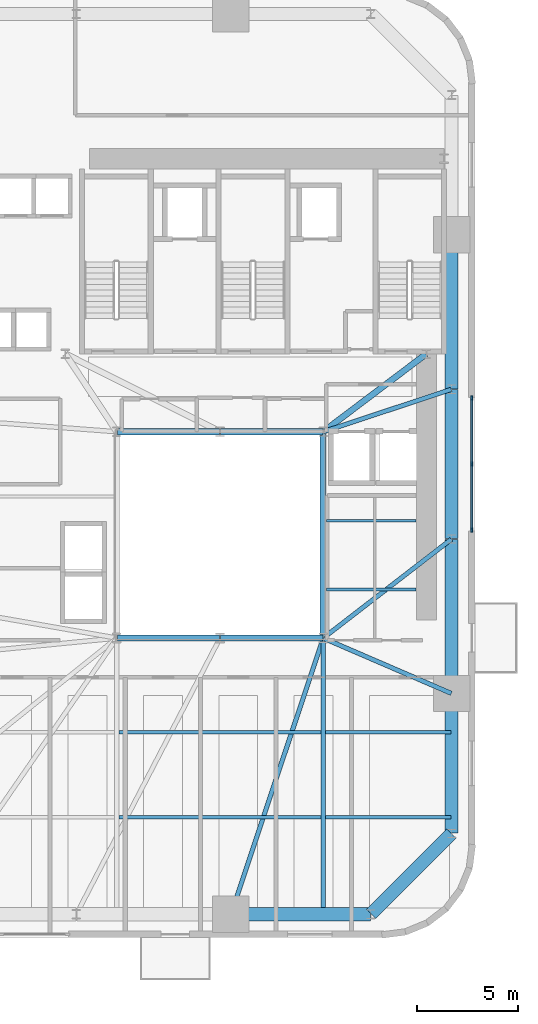
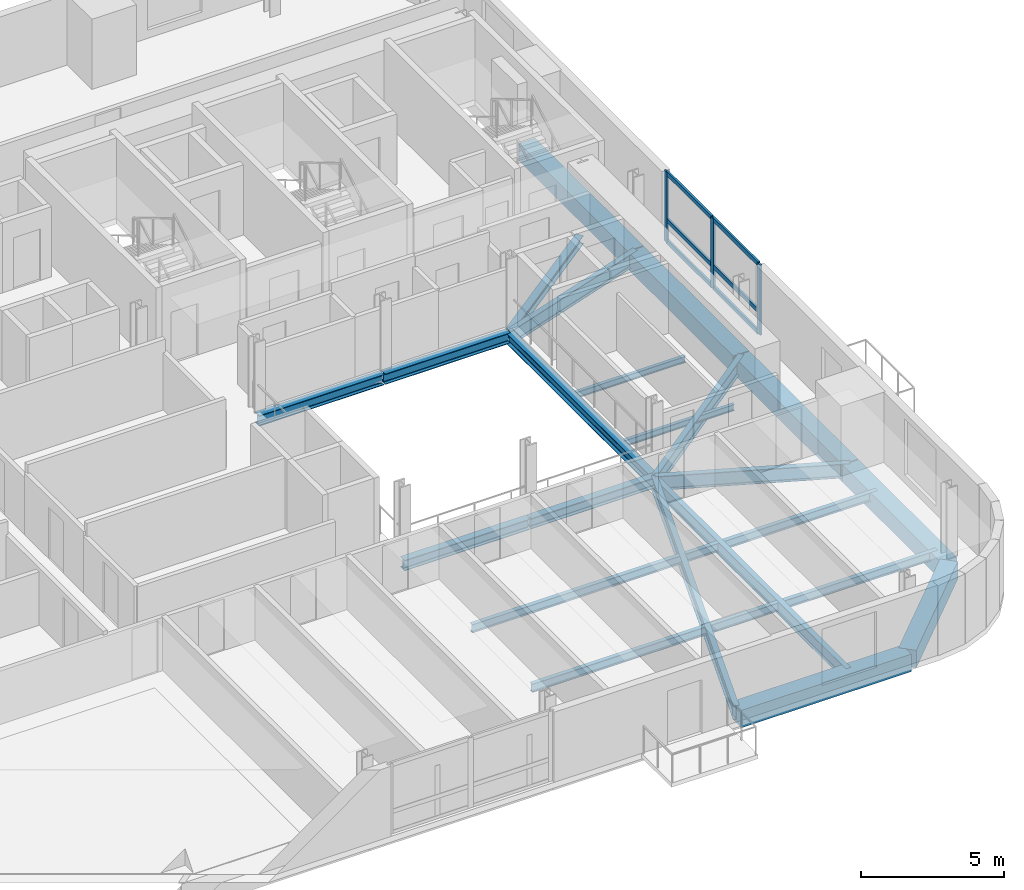
# One storey, part 3 of 13: 23 beams, 9 members, 1 element without a shape of its own.
"""IFC4 building model written with IfcOpenShell, lengths in metres."""

from ifc_helpers import new_model, si_unit, direction, frame, origin, origin_2d, place, context, subcontext, project, spatial, rectangle, i_section, extrude, source, transform, mapped, material, material_profile, profile_set, type_object, element, aggregate, save


model = new_model("IFC4")

# Units and contexts
model_context = context("Model", 3, precision=1e-05, world=origin(), true_north=direction((0.0, 1.0)))
body_context = subcontext(model_context, "Body", "Model", "MODEL_VIEW")
ifc_project = project(units=[si_unit("LENGTHUNIT", "METRE"), si_unit("AREAUNIT", "SQUARE_METRE"), si_unit("VOLUMEUNIT", "CUBIC_METRE"), si_unit("PLANEANGLEUNIT", "RADIAN"), si_unit("MASSUNIT", "GRAM", prefix="KILO")], contexts=[model_context])

# Site, building, storey
site_placement = place(None, origin())
site = spatial("IfcSite", under=ifc_project, at=site_placement, CompositionType="ELEMENT")
building_placement = place(site_placement, origin())
building = spatial("IfcBuilding", under=site, at=building_placement, Name="Vardaveli Station Tower", CompositionType="ELEMENT")
storey_placement = place(building_placement, frame((0.0, 0.0, 89.64990234375)))
storey = spatial("IfcBuildingStorey", under=building, at=storey_placement, Name="L23", CompositionType="ELEMENT", Elevation=89.64990234375)

# Beams
ifc_material_1 = material(Name="Structural steel S355J2", Category="steel")
ifc_material_profile_1 = material_profile(ifc_material_1, i_section(OverallWidth=0.300048828125, OverallDepth=0.449951171875, WebThickness=0.013916015625, FlangeThickness=0.02587890625, FilletRadius=0.027099609375, at=origin_2d()), Name="HEB 450")
ifc_profile_set_1 = profile_set([ifc_material_profile_1], Name="Structural steel S355J2")
beam_type_1 = type_object("IfcBeamType", Name="BM-HEB450", PredefinedType="BEAM", material=ifc_profile_set_1)
shared_shape_1 = source(origin(), body_context, "Body", "SweptSolid", [
    extrude(i_section(OverallWidth=0.300048828125, OverallDepth=0.449951171875, WebThickness=0.013916015625, FlangeThickness=0.02587890625, FilletRadius=0.027099609375, at=origin_2d()), origin(), (0.0, 0.0, 1.0), 5.06005859375),
])
for number, where, z_axis, x_axis, name in (
    (1, (31.219970703125, 16.60009765625, -0.46484375), (1.0, 0.0, 0.0), (0.0, 1.0, 0.0), "ABM-L23-01"),
    (2, (36.280029296875, 26.800048828125, -0.46484375), (-1.0, 0.0, 0.0), (0.0, -1.0, 0.0), "ABM-L23-05"),
):
    element("IfcBeam", number, at=place(storey_placement, frame(where, z_axis=z_axis, x_axis=x_axis)), inside=storey, type_object=beam_type_1, Name=name, PredefinedType="BEAM", context=body_context, shape_type="MappedRepresentation", body=[
        mapped(shared_shape_1, transform((0.0, 0.0, 0.0), scale=1.0)),
    ])
shared_shape_2 = source(origin(), body_context, "Body", "SweptSolid", [
    extrude(i_section(OverallWidth=0.300048828125, OverallDepth=0.449951171875, WebThickness=0.013916015625, FlangeThickness=0.02587890625, FilletRadius=0.027099609375, at=origin_2d()), origin(), (0.0, 0.0, 1.0), 5.059814453125),
])
for number, where, z_axis, x_axis, name in (
    (3, (36.320068359375, 16.60009765625, -0.46484375), (1.0, 0.0, 0.0), (0.0, 1.0, 0.0), "ABM-L23-02"),
    (4, (41.3798828125, 26.800048828125, -0.46484375), (-1.0, 0.0, 0.0), (0.0, -1.0, 0.0), "ABM-L23-04"),
):
    element("IfcBeam", number, at=place(storey_placement, frame(where, z_axis=z_axis, x_axis=x_axis)), inside=storey, type_object=beam_type_1, Name=name, PredefinedType="BEAM", context=body_context, shape_type="MappedRepresentation", body=[
        mapped(shared_shape_2, transform((0.0, 0.0, 0.0), scale=1.0)),
    ])
shared_shape_3 = source(origin(), body_context, "Body", "SweptSolid", [
    extrude(i_section(OverallWidth=0.300048828125, OverallDepth=0.449951171875, WebThickness=0.013916015625, FlangeThickness=0.02587890625, FilletRadius=0.027099609375, at=origin_2d()), origin(), (0.0, 0.0, 1.0), 10.159912109375),
])
beam_1_placement = place(storey_placement, frame((41.39990234375, 16.6201171875, -0.46484375), z_axis=(0.0, 1.0, 0.0), x_axis=(-1.0, 0.0, 0.0)))
element("IfcBeam", 5, at=beam_1_placement, inside=storey, type_object=beam_type_1, Name="ABM-L23-03", PredefinedType="BEAM", context=body_context, shape_type="MappedRepresentation", body=[
    mapped(shared_shape_3, transform((0.0, 0.0, 0.0), scale=1.0)),
])
ifc_material_profile_2 = material_profile(ifc_material_1, i_section(OverallWidth=0.300048828125, OverallDepth=0.360107421875, WebThickness=0.012451171875, FlangeThickness=0.0224609375, FilletRadius=0.027099609375, at=origin_2d()), Name="HEB 360")
ifc_profile_set_2 = profile_set([ifc_material_profile_2], Name="Structural steel S355J2")
beam_type_2 = type_object("IfcBeamType", Name="BM-HEB360", PredefinedType="BEAM", material=ifc_profile_set_2)
shared_shape_4 = source(origin(), body_context, "Body", "SweptSolid", [
    extrude(i_section(OverallWidth=0.300048828125, OverallDepth=0.360107421875, WebThickness=0.012451171875, FlangeThickness=0.0224609375, FilletRadius=0.027099609375, at=origin_2d()), origin(), (0.0, 0.0, 1.0), 6.35009765625),
])
beam_2_placement = place(storey_placement, frame((41.416015625, 26.81201171875, -0.419921875), z_axis=(0.798118337722, 0.602500721154, 0.0), x_axis=(-0.602500721154, 0.798118337722, 0.0)))
element("IfcBeam", 6, at=beam_2_placement, inside=storey, type_object=beam_type_2, Name="CBM-L23-02", PredefinedType="BEAM", context=body_context, shape_type="MappedRepresentation", body=[
    mapped(shared_shape_4, transform((0.0, 0.0, 0.0), scale=1.0)),
])
ifc_material_2 = material(Name="Precast concrete C45/55", Category="concrete")
ifc_material_profile_3 = material_profile(ifc_material_2, rectangle(XDim=0.64990234375, YDim=0.75, at=origin_2d()), Name="LPB 650x750")
ifc_profile_set_3 = profile_set([ifc_material_profile_3], Name="Precast concrete C45/55")
beam_type_3 = type_object("IfcBeamType", Name="BM-LPB-750", PredefinedType="BEAM", material=ifc_profile_set_3)
shared_shape_5 = source(origin(), body_context, "Body", "SweptSolid", [
    extrude(rectangle(XDim=0.64990234375, YDim=0.75, at=origin_2d()), origin(), (0.0, 0.0, 1.0), 7.60009765625),
])
for number, where, z_axis, x_axis, name in (
    (7, (47.75, 13.8798828125, -0.614990234375), (0.0, 1.0, 0.0), (-1.0, 0.0, 0.0), "RBM-L23-07"),
    (8, (47.75, 28.919921875, -0.614990234375), (0.0, 1.0, 0.0), (-1.0, 0.0, 0.0), "RBM-L23-09"),
):
    element("IfcBeam", number, at=place(storey_placement, frame(where, z_axis=z_axis, x_axis=x_axis)), inside=storey, type_object=beam_type_3, Name=name, PredefinedType="BEAM", context=body_context, shape_type="MappedRepresentation", body=[
        mapped(shared_shape_5, transform((0.0, 0.0, 0.0), scale=1.0)),
    ])
shared_shape_6 = source(origin(), body_context, "Body", "SweptSolid", [
    extrude(rectangle(XDim=0.64990234375, YDim=0.75, at=origin_2d()), origin(), (0.0, 0.0, 1.0), 7.35986328125),
])
beam_3_placement = place(storey_placement, frame((47.75, 21.52001953125, -0.614990234375), z_axis=(0.0, 1.0, 0.0), x_axis=(-1.0, 0.0, 0.0)))
element("IfcBeam", 9, at=beam_3_placement, inside=storey, type_object=beam_type_3, Name="RBM-L23-08", PredefinedType="BEAM", context=body_context, shape_type="MappedRepresentation", body=[
    mapped(shared_shape_6, transform((0.0, 0.0, 0.0), scale=1.0)),
])
shared_shape_7 = source(origin(), body_context, "Body", "SweptSolid", [
    extrude(rectangle(XDim=0.64990234375, YDim=0.75, at=origin_2d()), origin(), (0.0, 0.0, 1.0), 6.869873046875),
])
beam_4_placement = place(storey_placement, frame((36.860107421875, 2.949951171875, -0.614990234375), z_axis=(1.0, 0.0, 0.0), x_axis=(0.0, 1.0, 0.0)))
element("IfcBeam", 10, at=beam_4_placement, inside=storey, type_object=beam_type_3, Name="RBM-L23-04", PredefinedType="BEAM", context=body_context, shape_type="MappedRepresentation", body=[
    mapped(shared_shape_7, transform((0.0, 0.0, 0.0), scale=1.0)),
])
shared_shape_8 = source(origin(), body_context, "Body", "SweptSolid", [
    extrude(rectangle(XDim=0.64990234375, YDim=0.75, at=origin_2d()), origin(), (0.0, 0.0, 1.0), 5.61669921875),
])
beam_5_placement = place(storey_placement, frame((43.76416015625, 2.964111328125, -0.614990234375), z_axis=(0.707106781187, 0.707106781187, 0.0), x_axis=(-0.707106781187, 0.707106781187, 0.0)))
element("IfcBeam", 11, at=beam_5_placement, inside=storey, type_object=beam_type_3, Name="RBM-L23-05", PredefinedType="BEAM", context=body_context, shape_type="MappedRepresentation", body=[
    mapped(shared_shape_8, transform((0.0, 0.0, 0.0), scale=1.0)),
])
shared_shape_9 = source(origin(), body_context, "Body", "SweptSolid", [
    extrude(rectangle(XDim=0.64990234375, YDim=0.75, at=origin_2d()), origin(), (0.0, 0.0, 1.0), 6.8701171875),
])
beam_6_placement = place(storey_placement, frame((47.75, 6.969970703125, -0.614990234375), z_axis=(0.0, 1.0, 0.0), x_axis=(-1.0, 0.0, 0.0)))
element("IfcBeam", 12, at=beam_6_placement, inside=storey, type_object=beam_type_3, Name="RBM-L23-06", PredefinedType="BEAM", context=body_context, shape_type="MappedRepresentation", body=[
    mapped(shared_shape_9, transform((0.0, 0.0, 0.0), scale=1.0)),
])
ifc_material_profile_4 = material_profile(ifc_material_1, i_section(OverallWidth=0.219970703125, OverallDepth=0.60009765625, WebThickness=0.011962890625, FlangeThickness=0.01904296875, FilletRadius=0.02392578125, at=origin_2d()), Name="IPE 600")
ifc_profile_set_4 = profile_set([ifc_material_profile_4], Name="Structural steel S355J2")
beam_type_4 = type_object("IfcBeamType", Name="BM-IPE600", PredefinedType="BEAM", material=ifc_profile_set_4)
shared_shape_10 = source(origin(), body_context, "Body", "SweptSolid", [
    extrude(i_section(OverallWidth=0.219970703125, OverallDepth=0.60009765625, WebThickness=0.011962890625, FlangeThickness=0.01904296875, FilletRadius=0.02392578125, at=origin_2d()), origin(), (0.0, 0.0, 1.0), 14.3515625),
])
beam_7_placement = place(storey_placement, frame((36.846435546875, 2.968994140625, -0.539794921875), z_axis=(0.316840115921, 0.948478961782, 0.0), x_axis=(-0.948478961782, 0.316840115921, 0.0)))
element("IfcBeam", 13, at=beam_7_placement, inside=storey, type_object=beam_type_4, Name="GBM-L23-04", PredefinedType="BEAM", context=body_context, shape_type="MappedRepresentation", body=[
    mapped(shared_shape_10, transform((0.0, 0.0, 0.0), scale=1.0)),
])
shared_shape_11 = source(origin(), body_context, "Body", "SweptSolid", [
    extrude(i_section(OverallWidth=0.219970703125, OverallDepth=0.60009765625, WebThickness=0.011962890625, FlangeThickness=0.01904296875, FilletRadius=0.02392578125, at=origin_2d()), origin(), (0.0, 0.0, 1.0), 6.8759765625),
])
beam_8_placement = place(storey_placement, frame((47.731689453125, 13.867919921875, -0.539794921875), z_axis=(-0.918170694621, 0.396185026899, 0.0), x_axis=(-0.396185026899, -0.918170694621, 0.0)))
element("IfcBeam", 14, at=beam_8_placement, inside=storey, type_object=beam_type_4, Name="GBM-L23-05", PredefinedType="BEAM", context=body_context, shape_type="MappedRepresentation", body=[
    mapped(shared_shape_11, transform((0.0, 0.0, 0.0), scale=1.0)),
])
shared_shape_12 = source(origin(), body_context, "Body", "SweptSolid", [
    extrude(i_section(OverallWidth=0.219970703125, OverallDepth=0.60009765625, WebThickness=0.011962890625, FlangeThickness=0.01904296875, FilletRadius=0.02392578125, at=origin_2d()), origin(), (0.0, 0.0, 1.0), 7.980712890625),
])
beam_9_placement = place(storey_placement, frame((47.734130859375, 21.48779296875, -0.539794921875), z_axis=(-0.791701934907, -0.610907559509, 0.0), x_axis=(0.610907559509, -0.791701934907, 0.0)))
element("IfcBeam", 15, at=beam_9_placement, inside=storey, type_object=beam_type_4, Name="GBM-L23-06", PredefinedType="BEAM", context=body_context, shape_type="MappedRepresentation", body=[
    mapped(shared_shape_12, transform((0.0, 0.0, 0.0), scale=1.0)),
])
shared_shape_13 = source(origin(), body_context, "Body", "SweptSolid", [
    extrude(i_section(OverallWidth=0.219970703125, OverallDepth=0.60009765625, WebThickness=0.011962890625, FlangeThickness=0.01904296875, FilletRadius=0.02392578125, at=origin_2d()), origin(), (0.0, 0.0, 1.0), 6.648193359375),
])
beam_10_placement = place(storey_placement, frame((47.73095703125, 28.893798828125, -0.539794921875), z_axis=(-0.949429779906, -0.313979446824, 0.0), x_axis=(0.313979446824, -0.949429779906, 0.0)))
element("IfcBeam", 16, at=beam_10_placement, inside=storey, type_object=beam_type_4, Name="GBM-L23-07", PredefinedType="BEAM", context=body_context, shape_type="MappedRepresentation", body=[
    mapped(shared_shape_13, transform((0.0, 0.0, 0.0), scale=1.0)),
])
ifc_material_profile_5 = material_profile(ifc_material_1, i_section(OverallWidth=0.2099609375, OverallDepth=0.550048828125, WebThickness=0.010986328125, FlangeThickness=0.01708984375, FilletRadius=0.02392578125, at=origin_2d()), Name="IPE 550")
ifc_profile_set_5 = profile_set([ifc_material_profile_5], Name="Structural steel S355J2")
beam_type_5 = type_object("IfcBeamType", Name="BM-IPE550", PredefinedType="BEAM", material=ifc_profile_set_5)
shared_shape_14 = source(origin(), body_context, "Body", "SweptSolid", [
    extrude(i_section(OverallWidth=0.2099609375, OverallDepth=0.550048828125, WebThickness=0.010986328125, FlangeThickness=0.01708984375, FilletRadius=0.02392578125, at=origin_2d()), origin(), (0.0, 0.0, 1.0), 13.469970703125),
])
beam_11_placement = place(storey_placement, frame((41.39990234375, 2.989990234375, -0.514892578125), z_axis=(0.0, 1.0, 0.0), x_axis=(-1.0, 0.0, 0.0)))
element("IfcBeam", 17, at=beam_11_placement, inside=storey, type_object=beam_type_5, Name="NSM-L23-S2", PredefinedType="BEAM", context=body_context, shape_type="MappedRepresentation", body=[
    mapped(shared_shape_14, transform((0.0, 0.0, 0.0), scale=1.0)),
])
ifc_material_profile_6 = material_profile(ifc_material_1, i_section(OverallWidth=0.169921875, OverallDepth=0.360107421875, WebThickness=0.008056640625, FlangeThickness=0.0126953125, FilletRadius=0.01806640625, at=origin_2d()), Name="IPE 360")
ifc_profile_set_6 = profile_set([ifc_material_profile_6], Name="Structural steel S355J2")
beam_type_6 = type_object("IfcBeamType", Name="BM-IPE360", PredefinedType="JOIST", material=ifc_profile_set_6)
shared_shape_15 = source(origin(), body_context, "Body", "SweptSolid", [
    extrude(i_section(OverallWidth=0.169921875, OverallDepth=0.360107421875, WebThickness=0.008056640625, FlangeThickness=0.0126953125, FilletRadius=0.01806640625, at=origin_2d()), origin(), (0.0, 0.0, 1.0), 9.97607421875),
])
for number, where, z_axis, x_axis, name in (
    (18, (31.31201171875, 7.75, -0.419921875), (1.0, 0.0, 0.0), (0.0, 1.0, 0.0), "SJ-L23-S02"),
    (19, (31.31201171875, 11.949951171875, -0.419921875), (1.0, 0.0, 0.0), (0.0, 1.0, 0.0), "SJ-L23-S05"),
):
    element("IfcBeam", number, at=place(storey_placement, frame(where, z_axis=z_axis, x_axis=x_axis)), inside=storey, type_object=beam_type_6, Name=name, PredefinedType="JOIST", context=body_context, shape_type="MappedRepresentation", body=[
        mapped(shared_shape_15, transform((0.0, 0.0, 0.0), scale=1.0)),
    ])
shared_shape_16 = source(origin(), body_context, "Body", "SweptSolid", [
    extrude(i_section(OverallWidth=0.169921875, OverallDepth=0.360107421875, WebThickness=0.008056640625, FlangeThickness=0.0126953125, FilletRadius=0.01806640625, at=origin_2d()), origin(), (0.0, 0.0, 1.0), 6.197998046875),
])
for number, where, z_axis, x_axis, name in (
    (20, (41.511962890625, 7.75, -0.419921875), (1.0, 0.0, 0.0), (0.0, 1.0, 0.0), "SJ-L23-S03"),
    (21, (41.511962890625, 11.949951171875, -0.419921875), (1.0, 0.0, 0.0), (0.0, 1.0, 0.0), "SJ-L23-S06"),
):
    element("IfcBeam", number, at=place(storey_placement, frame(where, z_axis=z_axis, x_axis=x_axis)), inside=storey, type_object=beam_type_6, Name=name, PredefinedType="JOIST", context=body_context, shape_type="MappedRepresentation", body=[
        mapped(shared_shape_16, transform((0.0, 0.0, 0.0), scale=1.0)),
    ])
ifc_material_profile_7 = material_profile(ifc_material_1, i_section(OverallWidth=0.135009765625, OverallDepth=0.27001953125, WebThickness=0.006591796875, FlangeThickness=0.01025390625, FilletRadius=0.014892578125, at=origin_2d()), Name="IPE 270")
ifc_profile_set_7 = profile_set([ifc_material_profile_7], Name="Structural steel S355J2")
beam_type_7 = type_object("IfcBeamType", Name="BM-IPE270", PredefinedType="BEAM", material=ifc_profile_set_7)
shared_shape_17 = source(origin(), body_context, "Body", "SweptSolid", [
    extrude(i_section(OverallWidth=0.135009765625, OverallDepth=0.27001953125, WebThickness=0.006591796875, FlangeThickness=0.01025390625, FilletRadius=0.014892578125, at=origin_2d()), origin(), (0.0, 0.0, 1.0), 4.43017578125),
])
for number, where, z_axis, x_axis, name in (
    (22, (41.56494140625, 19.0, -0.375), (1.0, 0.0, 0.0), (0.0, 1.0, 0.0), "TJ-L23-01"),
    (23, (41.56494140625, 22.39990234375, -0.375), (1.0, 0.0, 0.0), (0.0, 1.0, 0.0), "TJ-L23-02"),
):
    element("IfcBeam", number, at=place(storey_placement, frame(where, z_axis=z_axis, x_axis=x_axis)), inside=storey, type_object=beam_type_7, Name=name, PredefinedType="BEAM", context=body_context, shape_type="MappedRepresentation", body=[
        mapped(shared_shape_17, transform((0.0, 0.0, 0.0), scale=1.0)),
    ])

# Curtain wall, members
ifc_material_3 = material(Name="Travertine stone and solar-control glass", Category="masonry")
curtain_wall_type = type_object("IfcCurtainWallType", Name="CW-SYS-2", PredefinedType="NOTDEFINED", material=ifc_material_3)
curtain_wall_placement = place(storey_placement, origin())
curtain_wall = element("IfcCurtainWall", 24, at=curtain_wall_placement, inside=storey, type_object=curtain_wall_type, Name="CW-L23-E", PredefinedType="NOTDEFINED")
ifc_material_4 = material(Name="Anodised aluminium alloy 6063-T6", Category="aluminium")
ifc_material_profile_8 = material_profile(ifc_material_4, rectangle(XDim=0.0849609375, YDim=0.179931640625, at=origin_2d()), Name="CWT 85x180")
ifc_profile_set_8 = profile_set([ifc_material_profile_8], Name="Anodised aluminium alloy 6063-T6")
member_type_1 = type_object("IfcMemberType", Name="CW-SYS-2-TRAN", PredefinedType="NOTDEFINED", material=ifc_profile_set_8)
shared_shape_18 = source(origin(), body_context, "Body", "SweptSolid", [
    extrude(rectangle(XDim=0.0849609375, YDim=0.179931640625, at=origin_2d()), origin(), (0.0, 0.0, 1.0), 3.172607421875),
])
member_1_placement = place(storey_placement, frame((48.739990234375, 25.242431640625, 0.04248046875), z_axis=(0.0, 1.0, 0.0), x_axis=(-1.0, 0.0, 0.0)))
member_1 = element("IfcMember", 25, at=member_1_placement, type_object=member_type_1, Name="CW-2 transom 2.1", ObjectType="TRANSOM", PredefinedType="USERDEFINED", context=body_context, shape_type="MappedRepresentation", body=[
    mapped(shared_shape_18, transform((0.0, 0.0, 0.0), scale=1.0)),
])
member_2_placement = place(storey_placement, frame((48.739990234375, 25.242431640625, 0.9501953125), z_axis=(0.0, 1.0, 0.0), x_axis=(-1.0, 0.0, 0.0)))
member_2 = element("IfcMember", 26, at=member_2_placement, type_object=member_type_1, Name="CW-2 transom 2.2", ObjectType="TRANSOM", PredefinedType="USERDEFINED", context=body_context, shape_type="MappedRepresentation", body=[
    mapped(shared_shape_18, transform((0.0, 0.0, 0.0), scale=1.0)),
])
member_3_placement = place(storey_placement, frame((48.739990234375, 25.242431640625, 2.95751953125), z_axis=(0.0, 1.0, 0.0), x_axis=(-1.0, 0.0, 0.0)))
member_3 = element("IfcMember", 27, at=member_3_placement, type_object=member_type_1, Name="CW-2 transom 2.3", ObjectType="TRANSOM", PredefinedType="USERDEFINED", context=body_context, shape_type="MappedRepresentation", body=[
    mapped(shared_shape_18, transform((0.0, 0.0, 0.0), scale=1.0)),
])
shared_shape_19 = source(origin(), body_context, "Body", "SweptSolid", [
    extrude(rectangle(XDim=0.0849609375, YDim=0.179931640625, at=origin_2d()), origin(), (0.0, 0.0, 1.0), 3.17236328125),
])
member_4_placement = place(storey_placement, frame((48.739990234375, 21.985107421875, 0.04248046875), z_axis=(0.0, 1.0, 0.0), x_axis=(-1.0, 0.0, 0.0)))
member_4 = element("IfcMember", 28, at=member_4_placement, type_object=member_type_1, Name="CW-2 transom 1.1", ObjectType="TRANSOM", PredefinedType="USERDEFINED", context=body_context, shape_type="MappedRepresentation", body=[
    mapped(shared_shape_19, transform((0.0, 0.0, 0.0), scale=1.0)),
])
member_5_placement = place(storey_placement, frame((48.739990234375, 21.985107421875, 0.9501953125), z_axis=(0.0, 1.0, 0.0), x_axis=(-1.0, 0.0, 0.0)))
member_5 = element("IfcMember", 29, at=member_5_placement, type_object=member_type_1, Name="CW-2 transom 1.2", ObjectType="TRANSOM", PredefinedType="USERDEFINED", context=body_context, shape_type="MappedRepresentation", body=[
    mapped(shared_shape_19, transform((0.0, 0.0, 0.0), scale=1.0)),
])
member_6_placement = place(storey_placement, frame((48.739990234375, 21.985107421875, 2.95751953125), z_axis=(0.0, 1.0, 0.0), x_axis=(-1.0, 0.0, 0.0)))
member_6 = element("IfcMember", 30, at=member_6_placement, type_object=member_type_1, Name="CW-2 transom 1.3", ObjectType="TRANSOM", PredefinedType="USERDEFINED", context=body_context, shape_type="MappedRepresentation", body=[
    mapped(shared_shape_19, transform((0.0, 0.0, 0.0), scale=1.0)),
])
ifc_material_profile_9 = material_profile(ifc_material_4, rectangle(XDim=0.0849609375, YDim=0.219970703125, at=origin_2d()), Name="CWM 85x220")
ifc_profile_set_9 = profile_set([ifc_material_profile_9], Name="Anodised aluminium alloy 6063-T6")
member_type_2 = type_object("IfcMemberType", Name="CW-SYS-2-MULL", PredefinedType="MULLION", material=ifc_profile_set_9)
shared_shape_20 = source(origin(), body_context, "Body", "SweptSolid", [
    extrude(rectangle(XDim=0.0849609375, YDim=0.219970703125, at=origin_2d()), origin(), (0.0, 0.0, 1.0), 3.0),
])
member_7_placement = place(storey_placement, frame((48.739990234375, 21.9423828125, 0.0), z_axis=(0.0, 0.0, 1.0), x_axis=(-1.0, 0.0, 0.0)))
member_7 = element("IfcMember", 31, at=member_7_placement, type_object=member_type_2, Name="CW-2 mullion 1", PredefinedType="MULLION", context=body_context, shape_type="MappedRepresentation", body=[
    mapped(shared_shape_20, transform((0.0, 0.0, 0.0), scale=1.0)),
])
member_8_placement = place(storey_placement, frame((48.739990234375, 25.199951171875, 0.0), z_axis=(0.0, 0.0, 1.0), x_axis=(-1.0, 0.0, 0.0)))
member_8 = element("IfcMember", 32, at=member_8_placement, type_object=member_type_2, Name="CW-2 mullion 2", PredefinedType="MULLION", context=body_context, shape_type="MappedRepresentation", body=[
    mapped(shared_shape_20, transform((0.0, 0.0, 0.0), scale=1.0)),
])
member_9_placement = place(storey_placement, frame((48.739990234375, 28.45751953125, 0.0), z_axis=(0.0, 0.0, 1.0), x_axis=(-1.0, 0.0, 0.0)))
member_9 = element("IfcMember", 33, at=member_9_placement, type_object=member_type_2, Name="CW-2 mullion 3", PredefinedType="MULLION", context=body_context, shape_type="MappedRepresentation", body=[
    mapped(shared_shape_20, transform((0.0, 0.0, 0.0), scale=1.0)),
])
aggregate(curtain_wall, [member_7, member_8, member_9, member_4, member_5, member_6, member_1, member_2, member_3])

save(model, "model.ifc")
